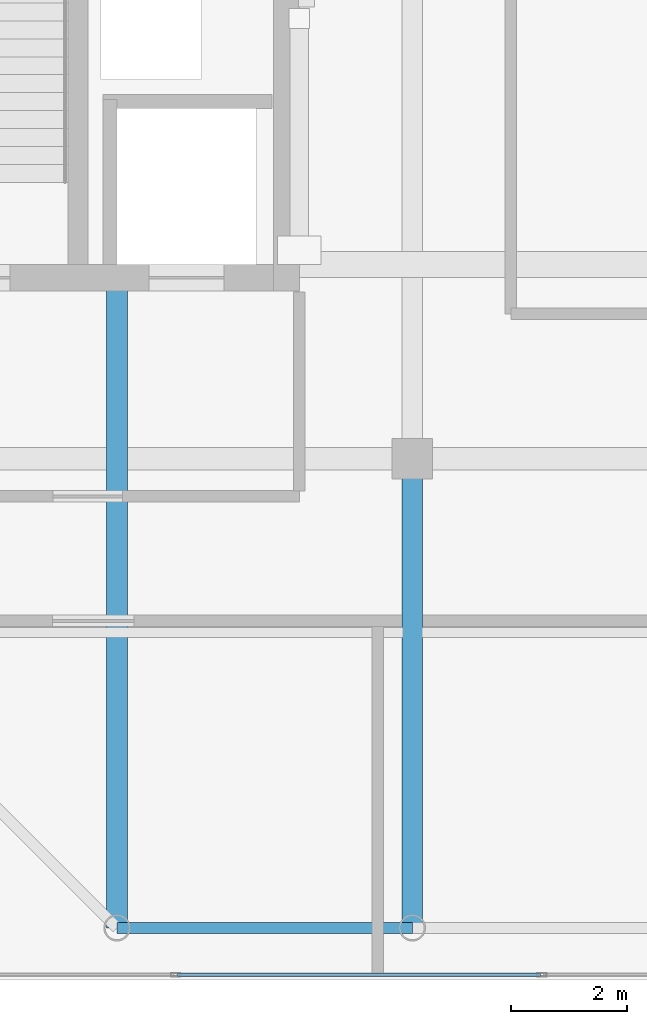
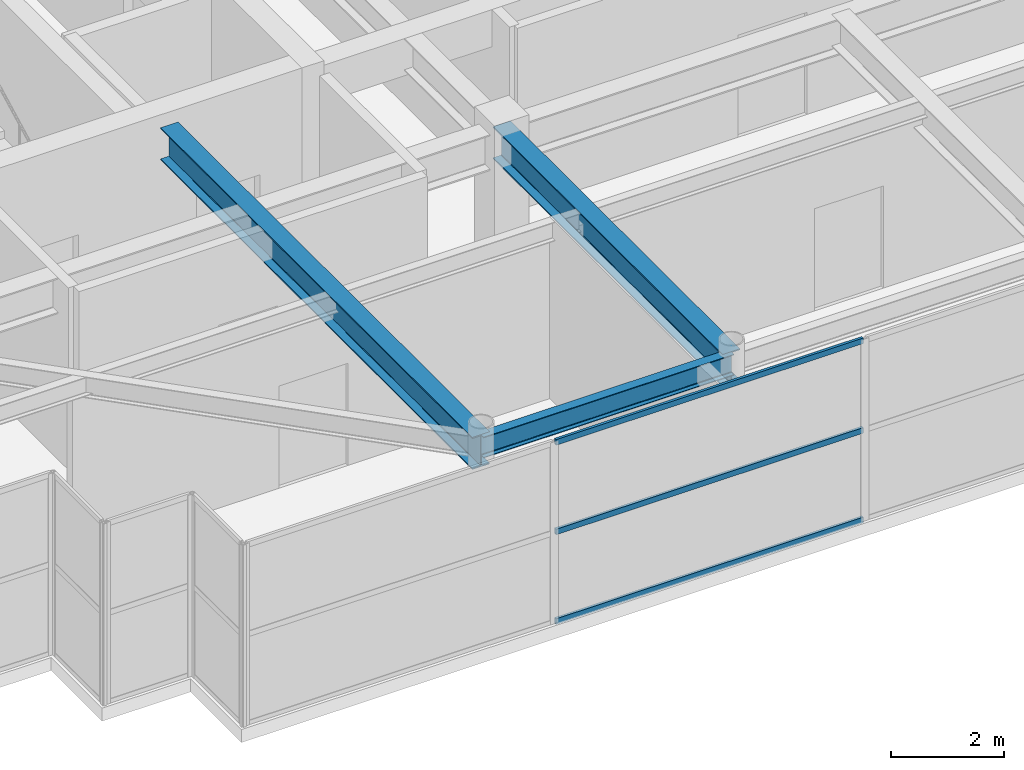
# One storey, part 4 of 33: 3 beams, 3 members, 1 element without a shape of its own.
"""IFC4 building model written with IfcOpenShell, lengths in metres."""

from ifc_helpers import new_model, si_unit, direction, frame, origin, origin_2d, place, context, subcontext, project, spatial, hollow_rectangle, i_section, extrude, source, transform, mapped, material, layer, layer_set, material_profile, profile_set, type_object, element, aggregate, save


model = new_model("IFC4")

# Units and contexts
model_context = context("Model", 3, precision=1e-05, world=origin(), true_north=direction((0.0, 1.0)))
body_context = subcontext(model_context, "Body", "Model", "MODEL_VIEW")
ifc_project = project(units=[si_unit("LENGTHUNIT", "METRE"), si_unit("AREAUNIT", "SQUARE_METRE"), si_unit("VOLUMEUNIT", "CUBIC_METRE"), si_unit("PLANEANGLEUNIT", "RADIAN"), si_unit("MASSUNIT", "GRAM", prefix="KILO")], contexts=[model_context])

# Site, building, storey
site_placement = place(None, origin())
site = spatial("IfcSite", under=ifc_project, at=site_placement, CompositionType="ELEMENT")
building_placement = place(site_placement, origin())
building = spatial("IfcBuilding", under=site, at=building_placement, Name="Khoralis Quay Care Tower", CompositionType="ELEMENT")
storey_placement = place(building_placement, frame((0.0, 0.0, 302.10009765625)))
storey = spatial("IfcBuildingStorey", under=building, at=storey_placement, Name="L79", CompositionType="ELEMENT", Elevation=302.10009765625)

# Beams
ifc_material_1 = material(Name="Steel S355", Category="steel")
ifc_material_profile_1 = material_profile(ifc_material_1, i_section(OverallWidth=0.18994140625, OverallDepth=0.449951171875, WebThickness=0.009521484375, FlangeThickness=0.0146484375, FilletRadius=0.02099609375, at=origin_2d()), Name="Steel S355")
ifc_profile_set_1 = profile_set([ifc_material_profile_1], Name="Steel S355")
beam_type_1 = type_object("IfcBeamType", Name="BM-IPE450", PredefinedType="SPANDREL", material=ifc_profile_set_1)
shared_shape_1 = source(origin(), body_context, "Body", "SweptSolid", [
    extrude(i_section(OverallWidth=0.18994140625, OverallDepth=0.449951171875, WebThickness=0.009521484375, FlangeThickness=0.0146484375, FilletRadius=0.02099609375, at=origin_2d()), origin(), (0.0, 0.0, 1.0), 5.10009765625),
])
beam_1_placement = place(storey_placement, frame((12.0, 3.89990234375, 3.69482421875), z_axis=(1.0, 0.0, 0.0), x_axis=(0.0, 1.0, 0.0)))
element("IfcBeam", 1, at=beam_1_placement, inside=storey, type_object=beam_type_1, Name="BM-TSP-L79-01", PredefinedType="SPANDREL", context=body_context, shape_type="MappedRepresentation", body=[
    mapped(shared_shape_1, transform((0.0, 0.0, 0.0), scale=1.0)),
])
ifc_material_profile_2 = material_profile(ifc_material_1, i_section(OverallWidth=0.35498046875, OverallDepth=0.695068359375, WebThickness=0.015380859375, FlangeThickness=0.02490234375, FilletRadius=0.02001953125, at=origin_2d()), Name="Steel S355")
ifc_profile_set_2 = profile_set([ifc_material_profile_2], Name="Steel S355")
beam_type_2 = type_object("IfcBeamType", Name="BM-W690X217", PredefinedType="BEAM", material=ifc_profile_set_2)
shared_shape_2 = source(origin(), body_context, "Body", "SweptSolid", [
    extrude(i_section(OverallWidth=0.35498046875, OverallDepth=0.695068359375, WebThickness=0.015380859375, FlangeThickness=0.02490234375, FilletRadius=0.02001953125, at=origin_2d()), origin(), (0.0, 0.0, 1.0), 11.002197265625),
])
beam_2_placement = place(storey_placement, frame((12.0, 3.89990234375, 3.572509765625), z_axis=(0.0, 1.0, 0.0), x_axis=(-1.0, 0.0, 0.0)))
element("IfcBeam", 2, at=beam_2_placement, inside=storey, type_object=beam_type_2, Name="BM-TGYS-L79-120", PredefinedType="BEAM", context=body_context, shape_type="MappedRepresentation", body=[
    mapped(shared_shape_2, transform((0.0, 0.0, 0.0), scale=1.0)),
])
shared_shape_3 = source(origin(), body_context, "Body", "SweptSolid", [
    extrude(i_section(OverallWidth=0.35498046875, OverallDepth=0.695068359375, WebThickness=0.015380859375, FlangeThickness=0.02490234375, FilletRadius=0.02001953125, at=origin_2d()), origin(), (0.0, 0.0, 1.0), 8.10009765625),
])
beam_3_placement = place(storey_placement, frame((17.10009765625, 3.89990234375, 3.572509765625), z_axis=(0.0, 1.0, 0.0), x_axis=(-1.0, 0.0, 0.0)))
element("IfcBeam", 3, at=beam_3_placement, inside=storey, type_object=beam_type_2, Name="BM-TGYS-L79-171", PredefinedType="BEAM", context=body_context, shape_type="MappedRepresentation", body=[
    mapped(shared_shape_3, transform((0.0, 0.0, 0.0), scale=1.0)),
])

# Curtain wall, members
ifc_material_2 = material(Name="Pale anodised aluminium", Category="aluminium")
ifc_layer = layer(ifc_material_2, 0.199951171875)
ifc_layer_set = layer_set([ifc_layer], Name="Pale anodised aluminium")
curtain_wall_type = type_object("IfcCurtainWallType", Name="CW-SYS-LANTERN", PredefinedType="NOTDEFINED", material=ifc_layer_set)
curtain_wall_placement = place(storey_placement, origin())
curtain_wall = element("IfcCurtainWall", 4, at=curtain_wall_placement, inside=storey, type_object=curtain_wall_type, Name="L79 Unitised Curtain Wall CW-LN-L79-01", PredefinedType="NOTDEFINED")
ifc_material_profile_3 = material_profile(ifc_material_2, hollow_rectangle(XDim=0.054931640625, YDim=0.1201171875, WallThickness=0.00390625, at=origin_2d()), Name="Pale anodised aluminium")
ifc_profile_set_3 = profile_set([ifc_material_profile_3], Name="Pale anodised aluminium")
member_type = type_object("IfcMemberType", Name="CW-TRN-120", PredefinedType="USERDEFINED", material=ifc_profile_set_3)
shared_shape_4 = source(origin(), body_context, "Body", "SweptSolid", [
    extrude(hollow_rectangle(XDim=0.054931640625, YDim=0.1201171875, WallThickness=0.00390625, at=origin_2d()), origin(), (0.0, 0.0, 1.0), 6.26416015625),
])
member_1_placement = place(storey_placement, frame((13.0439453125, 3.090087890625, 0.02978515625), z_axis=(1.0, 0.0, 0.0), x_axis=(0.0, 1.0, 0.0)))
member_1 = element("IfcMember", 5, at=member_1_placement, type_object=member_type, Name="CW5 transom 2.1", ObjectType="TRANSOM", PredefinedType="USERDEFINED", context=body_context, shape_type="MappedRepresentation", body=[
    mapped(shared_shape_4, transform((0.0, 0.0, 0.0), scale=1.0)),
])
member_2_placement = place(storey_placement, frame((13.0439453125, 3.090087890625, 1.9599609375), z_axis=(1.0, 0.0, 0.0), x_axis=(0.0, 1.0, 0.0)))
member_2 = element("IfcMember", 6, at=member_2_placement, type_object=member_type, Name="CW5 transom 2.2", ObjectType="TRANSOM", PredefinedType="USERDEFINED", context=body_context, shape_type="MappedRepresentation", body=[
    mapped(shared_shape_4, transform((0.0, 0.0, 0.0), scale=1.0)),
])
member_3_placement = place(storey_placement, frame((13.0439453125, 3.090087890625, 3.889892578125), z_axis=(1.0, 0.0, 0.0), x_axis=(0.0, 1.0, 0.0)))
member_3 = element("IfcMember", 7, at=member_3_placement, type_object=member_type, Name="CW5 transom 2.3", ObjectType="TRANSOM", PredefinedType="USERDEFINED", context=body_context, shape_type="MappedRepresentation", body=[
    mapped(shared_shape_4, transform((0.0, 0.0, 0.0), scale=1.0)),
])
aggregate(curtain_wall, [member_1, member_2, member_3])

save(model, "model.ifc")
